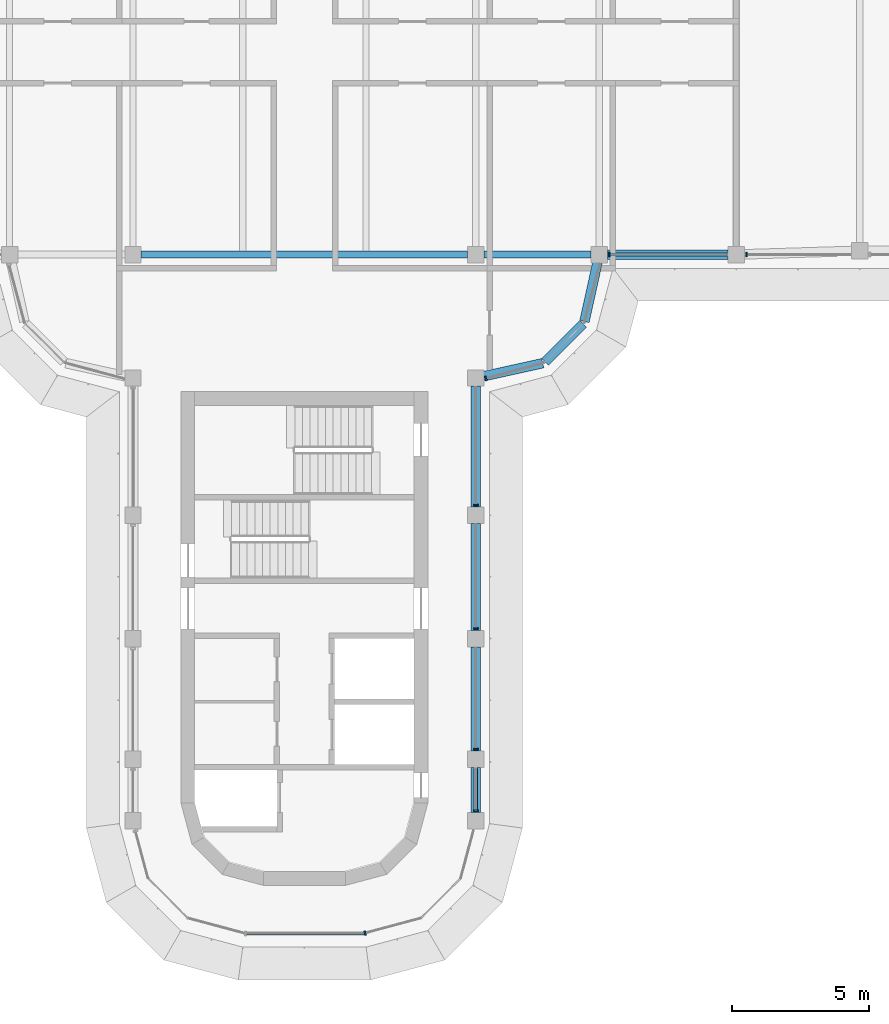
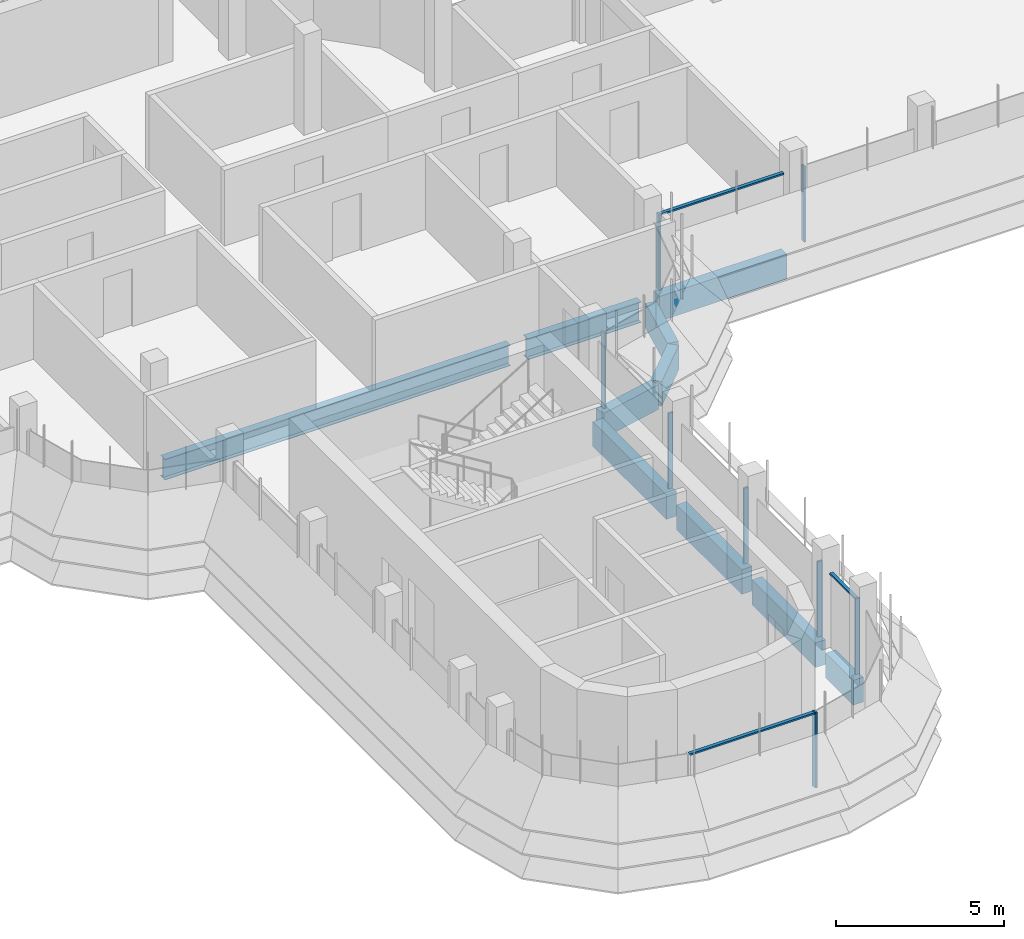
# One storey, part 4 of 19: 11 members, 10 beams, 5 elements without a shape of their own.
"""IFC4 building model written with IfcOpenShell, lengths in metres."""

from ifc_helpers import new_model, si_unit, direction, frame, origin, origin_2d, place, context, subcontext, project, spatial, polyline, rectangle, i_section, outline, extrude, source, transform, mapped, material, material_profile, profile_set, type_object, element, aggregate, save


model = new_model("IFC4")

# Units and contexts
model_context = context("Model", 3, precision=1e-05, world=origin(), true_north=direction((0.0, 1.0)))
body_context = subcontext(model_context, "Body", "Model", "MODEL_VIEW")
ifc_project = project(units=[si_unit("LENGTHUNIT", "METRE"), si_unit("AREAUNIT", "SQUARE_METRE"), si_unit("VOLUMEUNIT", "CUBIC_METRE"), si_unit("PLANEANGLEUNIT", "RADIAN"), si_unit("MASSUNIT", "GRAM", prefix="KILO")], contexts=[model_context])

# Site, building, storey
site_placement = place(None, origin())
site = spatial("IfcSite", under=ifc_project, at=site_placement, CompositionType="ELEMENT")
building_placement = place(site_placement, origin())
building = spatial("IfcBuilding", under=site, at=building_placement, Name="Zarbagh Exchange Tower", CompositionType="ELEMENT")
storey_placement = place(building_placement, frame((0.0, 0.0, 261.199951171875)))
storey = spatial("IfcBuildingStorey", under=building, at=storey_placement, Name="L64", CompositionType="ELEMENT", Elevation=261.199951171875)

# Beams
ifc_material_1 = material(Name="Steel ASTM A992 Gr 50", Category="steel")
ifc_material_profile_1 = material_profile(ifc_material_1, i_section(OverallWidth=0.2666015625, OverallDepth=0.7568359375, WebThickness=0.013916015625, FlangeThickness=0.019287109375, at=origin_2d()), Name="W30X108")
ifc_profile_set_1 = profile_set([ifc_material_profile_1], Name="Steel ASTM A992 Gr 50")
beam_type_1 = type_object("IfcBeamType", Name="Floor girder W30X108", PredefinedType="BEAM", material=ifc_profile_set_1)
beam_1_placement = place(storey_placement, frame((-5.949951171875, -6.25, -0.5283203125), z_axis=(1.0, 0.0, 0.0), x_axis=(0.0, 1.0, 0.0)))
element("IfcBeam", 1, at=beam_1_placement, inside=storey, type_object=beam_type_1, Name="Steel girder", PredefinedType="BEAM", context=body_context, shape_type="SweptSolid", body=[
    extrude(i_section(OverallWidth=0.2666015625, OverallDepth=0.7568359375, WebThickness=0.013916015625, FlangeThickness=0.019287109375, at=origin_2d()), origin(), (0.0, 0.0, 1.0), 11.89990234375),
])
beam_2_placement = place(storey_placement, frame((6.550048828125, -6.25, -0.5283203125), z_axis=(1.0, 0.0, 0.0), x_axis=(0.0, 1.0, 0.0)))
element("IfcBeam", 2, at=beam_2_placement, inside=storey, type_object=beam_type_1, Name="Steel girder", PredefinedType="BEAM", context=body_context, shape_type="SweptSolid", body=[
    extrude(i_section(OverallWidth=0.2666015625, OverallDepth=0.7568359375, WebThickness=0.013916015625, FlangeThickness=0.019287109375, at=origin_2d()), origin(), (0.0, 0.0, 1.0), 3.89990234375),
])
ifc_material_2 = material(Name="Concrete C40/50", Category="concrete")
ifc_material_profile_2 = material_profile(ifc_material_2, rectangle(XDim=0.35009765625, YDim=0.89990234375, at=origin_2d()), Name="RC spandrel beam 350 x 900 C40/50")
ifc_profile_set_2 = profile_set([ifc_material_profile_2], Name="Concrete C40/50")
beam_type_2 = type_object("IfcBeamType", Name="RC spandrel beam 350 x 900 C40/50", PredefinedType="SPANDREL", material=ifc_profile_set_2)
beam_3_placement = place(storey_placement, frame((15.449951171875, -6.25, -0.599853515625), z_axis=(-1.0, 0.0, 0.0), x_axis=(0.0, -1.0, 0.0)))
element("IfcBeam", 3, at=beam_3_placement, inside=storey, type_object=beam_type_2, Name="RC spandrel beam", PredefinedType="SPANDREL", context=body_context, shape_type="SweptSolid", body=[
    extrude(rectangle(XDim=0.35009765625, YDim=0.89990234375, at=origin_2d()), origin(), (0.0, 0.0, 1.0), 4.39990234375),
])
beam_4_placement = place(storey_placement, frame((10.685302734375, -6.54296875, -0.599853515625), z_axis=(-0.216025770228, -0.976387662047, 0.0), x_axis=(0.976387662047, -0.216025770228, 0.0)))
element("IfcBeam", 4, at=beam_4_placement, inside=storey, type_object=beam_type_2, Name="RC spandrel beam", PredefinedType="SPANDREL", context=body_context, shape_type="SweptSolid", body=[
    extrude(rectangle(XDim=0.35009765625, YDim=0.89990234375, at=origin_2d()), origin(), (0.0, 0.0, 1.0), 2.200439453125),
])
beam_5_placement = place(storey_placement, frame((10.16259765625, -8.77734375, -0.599853515625), z_axis=(-0.707106781187, -0.707106781187, 0.0), x_axis=(0.707106781187, -0.707106781187, 0.0)))
element("IfcBeam", 5, at=beam_5_placement, inside=storey, type_object=beam_type_2, Name="RC spandrel beam", PredefinedType="SPANDREL", context=body_context, shape_type="SweptSolid", body=[
    extrude(rectangle(XDim=0.35009765625, YDim=0.89990234375, at=origin_2d()), origin(), (0.0, 0.0, 1.0), 1.958984375),
])
beam_6_placement = place(storey_placement, frame((8.69140625, -10.2099609375, -0.599853515625), z_axis=(-0.976387662047, -0.216025770228, 0.0), x_axis=(0.216025770228, -0.976387662047, 0.0)))
element("IfcBeam", 6, at=beam_6_placement, inside=storey, type_object=beam_type_2, Name="RC spandrel beam", PredefinedType="SPANDREL", context=body_context, shape_type="SweptSolid", body=[
    extrude(rectangle(XDim=0.35009765625, YDim=0.89990234375, at=origin_2d()), origin(), (0.0, 0.0, 1.0), 2.200439453125),
])
beam_7_placement = place(storey_placement, frame((6.25, -11.050048828125, -0.599853515625), z_axis=(0.0, -1.0, 0.0), x_axis=(1.0, 0.0, 0.0)))
element("IfcBeam", 7, at=beam_7_placement, inside=storey, type_object=beam_type_2, Name="RC spandrel beam", PredefinedType="SPANDREL", context=body_context, shape_type="SweptSolid", body=[
    extrude(rectangle(XDim=0.35009765625, YDim=0.89990234375, at=origin_2d()), origin(), (0.0, 0.0, 1.0), 4.39990234375),
])
beam_8_placement = place(storey_placement, frame((6.25, -16.050048828125, -0.599853515625), z_axis=(0.0, -1.0, 0.0), x_axis=(1.0, 0.0, 0.0)))
element("IfcBeam", 8, at=beam_8_placement, inside=storey, type_object=beam_type_2, Name="RC spandrel beam", PredefinedType="SPANDREL", context=body_context, shape_type="SweptSolid", body=[
    extrude(rectangle(XDim=0.35009765625, YDim=0.89990234375, at=origin_2d()), origin(), (0.0, 0.0, 1.0), 3.89990234375),
])
beam_9_placement = place(storey_placement, frame((6.25, -20.550048828125, -0.599853515625), z_axis=(0.0, -1.0, 0.0), x_axis=(1.0, 0.0, 0.0)))
element("IfcBeam", 9, at=beam_9_placement, inside=storey, type_object=beam_type_2, Name="RC spandrel beam", PredefinedType="SPANDREL", context=body_context, shape_type="SweptSolid", body=[
    extrude(rectangle(XDim=0.35009765625, YDim=0.89990234375, at=origin_2d()), origin(), (0.0, 0.0, 1.0), 3.800048828125),
])
beam_10_placement = place(storey_placement, frame((6.25, -24.949951171875, -0.599853515625), z_axis=(0.0, -1.0, 0.0), x_axis=(1.0, 0.0, 0.0)))
element("IfcBeam", 10, at=beam_10_placement, inside=storey, type_object=beam_type_2, Name="RC spandrel beam", PredefinedType="SPANDREL", context=body_context, shape_type="SweptSolid", body=[
    extrude(rectangle(XDim=0.35009765625, YDim=0.89990234375, at=origin_2d()), origin(), (0.0, 0.0, 1.0), 1.650146484375),
])

# Curtain wall, member
ifc_material_3 = material(Name="Anodised aluminium frame and glazing", Category="aluminium")
curtain_wall_type = type_object("IfcCurtainWallType", Name="CWB Ribbon glazing, upper zones", PredefinedType="NOTDEFINED", material=ifc_material_3)
curtain_wall_1_placement = place(storey_placement, origin())
curtain_wall_1 = element("IfcCurtainWall", 11, at=curtain_wall_1_placement, inside=storey, type_object=curtain_wall_type, Name="CWB49 curtain wall", PredefinedType="NOTDEFINED")
ifc_material_4 = material(Name="Anodised aluminium frame", Category="aluminium")
member_type_1 = type_object("IfcMemberType", Name="MUB Mullion, anodised aluminium frame", PredefinedType="MULLION", material=ifc_material_4)
shared_shape_1 = source(origin(), body_context, "Body", "SweptSolid", [
    extrude(outline(polyline([(0.0, -0.080078125), (0.06005859375, -0.080078125), (0.06005859375, 0.080078125), (0.0, 0.080078125), (0.0, -0.080078125)])), origin(), (0.0, 0.0, 1.0), 2.75),
])
placement = place(storey_placement, origin())
member_1 = element("IfcMember", 12, at=placement, type_object=member_type_1, Name="CWB49 mullion 1.1", PredefinedType="MULLION", context=body_context, shape_type="MappedRepresentation", body=[
    mapped(shared_shape_1, transform((2.18408203125, -31.0, 0.0), x_axis=(0.965924289636, 0.258824779902, 0.0), y_axis=(-0.258824779902, 0.965924289636, 0.0), z_axis=(0.0, 0.0, 1.0))),
])
aggregate(curtain_wall_1, [member_1])

# Curtain wall, members
curtain_wall_2_placement = place(storey_placement, origin())
curtain_wall_2 = element("IfcCurtainWall", 13, at=curtain_wall_2_placement, inside=storey, type_object=curtain_wall_type, Name="CWB52 curtain wall", PredefinedType="NOTDEFINED")
member_2 = element("IfcMember", 14, at=placement, type_object=member_type_1, Name="CWB52 mullion 1.1", PredefinedType="MULLION", context=body_context, shape_type="MappedRepresentation", body=[
    mapped(shared_shape_1, transform((6.25, -26.56005859375, 0.0), x_axis=(0.0, 1.0, 0.0), y_axis=(-1.0, 0.0, 0.0), z_axis=(0.0, 0.0, 1.0))),
])
member_3 = element("IfcMember", 15, at=placement, type_object=member_type_1, Name="CWB52 mullion 2.1", PredefinedType="MULLION", context=body_context, shape_type="MappedRepresentation", body=[
    mapped(shared_shape_1, transform((6.25, -24.31005859375, 0.0), x_axis=(0.0, 1.0, 0.0), y_axis=(-1.0, 0.0, 0.0), z_axis=(0.0, 0.0, 1.0))),
])
member_4 = element("IfcMember", 16, at=placement, type_object=member_type_1, Name="CWB52 mullion 3.1", PredefinedType="MULLION", context=body_context, shape_type="MappedRepresentation", body=[
    mapped(shared_shape_1, transform((6.25, -19.909912109375, 0.0), x_axis=(0.0, 1.0, 0.0), y_axis=(-1.0, 0.0, 0.0), z_axis=(0.0, 0.0, 1.0))),
])
member_5 = element("IfcMember", 17, at=placement, type_object=member_type_1, Name="CWB52 mullion 4.1", PredefinedType="MULLION", context=body_context, shape_type="MappedRepresentation", body=[
    mapped(shared_shape_1, transform((6.25, -15.409912109375, 0.0), x_axis=(0.0, 1.0, 0.0), y_axis=(-1.0, 0.0, 0.0), z_axis=(0.0, 0.0, 1.0))),
])

# Curtain wall, member
curtain_wall_3_placement = place(storey_placement, origin())
curtain_wall_3 = element("IfcCurtainWall", 18, at=curtain_wall_3_placement, inside=storey, type_object=curtain_wall_type, Name="CWB05 curtain wall", PredefinedType="NOTDEFINED")
member_6 = element("IfcMember", 19, at=placement, type_object=member_type_1, Name="CWB05 mullion 1.1", PredefinedType="MULLION", context=body_context, shape_type="MappedRepresentation", body=[
    mapped(shared_shape_1, transform((6.590087890625, -10.775146484375, 0.0), x_axis=(0.965924289636, 0.258824779902, 0.0), y_axis=(-0.258824779902, 0.965924289636, 0.0), z_axis=(0.0, 0.0, 1.0))),
])
aggregate(curtain_wall_3, [member_6])

# Curtain wall, members
curtain_wall_4_placement = place(storey_placement, origin())
curtain_wall_4 = element("IfcCurtainWall", 20, at=curtain_wall_4_placement, inside=storey, type_object=curtain_wall_type, Name="CWB75 curtain wall", PredefinedType="NOTDEFINED")
member_7 = element("IfcMember", 21, at=placement, type_object=member_type_1, Name="CWB75 mullion 1.1", PredefinedType="MULLION", context=body_context, shape_type="MappedRepresentation", body=[
    mapped(shared_shape_1, transform((11.090087890625, -6.25, 0.0), x_axis=(1.0, 0.0, 0.0), y_axis=(0.0, 1.0, 0.0), z_axis=(0.0, 0.0, 1.0))),
])
member_8 = element("IfcMember", 22, at=placement, type_object=member_type_1, Name="CWB75 mullion 2.1", PredefinedType="MULLION", context=body_context, shape_type="MappedRepresentation", body=[
    mapped(shared_shape_1, transform((16.090087890625, -6.25, 0.0), x_axis=(1.0, 0.0, 0.0), y_axis=(0.0, 1.0, 0.0), z_axis=(0.0, 0.0, 1.0))),
])

# Curtain wall, member
curtain_wall_5_placement = place(storey_placement, origin())
curtain_wall_5 = element("IfcCurtainWall", 23, at=curtain_wall_5_placement, inside=storey, type_object=curtain_wall_type, Name="CWB57 curtain wall", PredefinedType="NOTDEFINED")
member_type_2 = type_object("IfcMemberType", Name="TRB Transom, anodised aluminium frame", PredefinedType="USERDEFINED", material=ifc_material_4)
shared_shape_2 = source(origin(), body_context, "Body", "SweptSolid", [
    extrude(outline(polyline([(-0.06005859375, -0.06005859375), (0.0, -0.06005859375), (0.0, 0.06005859375), (-0.06005859375, 0.06005859375), (-0.06005859375, -0.06005859375)])), origin(), (0.0, 0.0, 1.0), 4.308349609375),
])
member_9 = element("IfcMember", 24, at=placement, type_object=member_type_2, Name="CWB57 transom 1.1", ObjectType="TRANSOM", PredefinedType="USERDEFINED", context=body_context, shape_type="MappedRepresentation", body=[
    mapped(shared_shape_2, transform((-2.124267578125, -31.0, 2.75), x_axis=(0.0, 0.0, 1.0), y_axis=(0.0, -1.0, 0.0), z_axis=(1.0, 0.0, 0.0))),
])
aggregate(curtain_wall_5, [member_9])

# Member
shared_shape_3 = source(origin(), body_context, "Body", "SweptSolid", [
    extrude(outline(polyline([(-0.06005859375, -0.06005859375), (0.0, -0.06005859375), (0.0, 0.06005859375), (-0.06005859375, 0.06005859375), (-0.06005859375, -0.06005859375)])), origin(), (0.0, 0.0, 1.0), 1.510009765625),
])
member_10 = element("IfcMember", 25, at=placement, type_object=member_type_2, Name="CWB52 transom 1.1", ObjectType="TRANSOM", PredefinedType="USERDEFINED", context=body_context, shape_type="MappedRepresentation", body=[
    mapped(shared_shape_3, transform((6.25, -26.5, 2.75), x_axis=(0.0, 0.0, 1.0), y_axis=(1.0, 0.0, 0.0), z_axis=(0.0, 1.0, 0.0))),
])

aggregate(curtain_wall_2, [member_2, member_10, member_3, member_4, member_5])

shared_shape_4 = source(origin(), body_context, "Body", "SweptSolid", [
    extrude(outline(polyline([(-0.06005859375, -0.06005859375), (0.0, -0.06005859375), (0.0, 0.06005859375), (-0.06005859375, 0.06005859375), (-0.06005859375, -0.06005859375)])), origin(), (0.0, 0.0, 1.0), 4.260009765625),
])
member_11 = element("IfcMember", 26, at=placement, type_object=member_type_2, Name="CWB75 transom 1.1", ObjectType="TRANSOM", PredefinedType="USERDEFINED", context=body_context, shape_type="MappedRepresentation", body=[
    mapped(shared_shape_4, transform((11.150146484375, -6.25, 2.75), x_axis=(0.0, 0.0, 1.0), y_axis=(0.0, -1.0, 0.0), z_axis=(1.0, 0.0, 0.0))),
])

aggregate(curtain_wall_4, [member_7, member_11, member_8])

save(model, "model.ifc")
